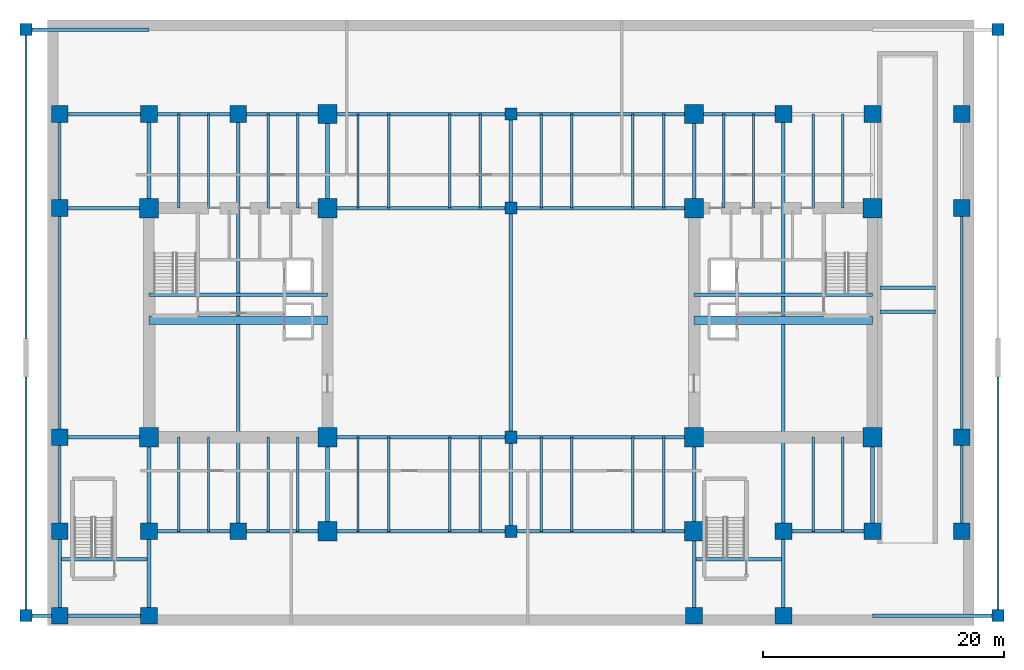
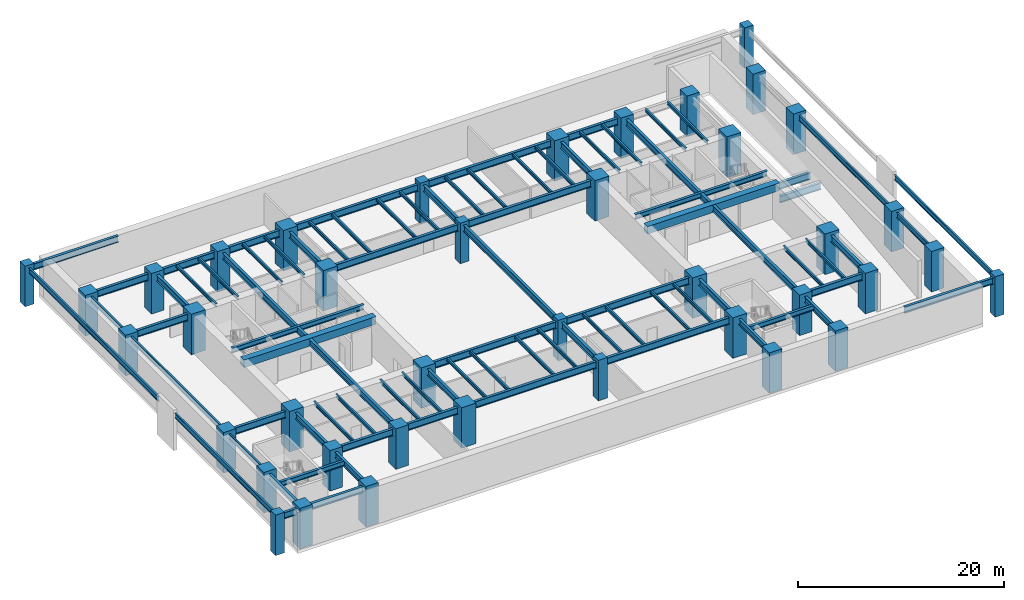
# One storey, part 1 of 7: 82 beams, 40 columns.
"""IFC4 building model written with IfcOpenShell, lengths in metres."""

from ifc_helpers import new_model, si_unit, direction, frame, origin, origin_2d, place, context, subcontext, project, spatial, rectangle, i_section, extrude, source, transform, mapped, material, material_profile, profile_set, type_object, type_shapes, element, save


model = new_model("IFC4")

# Units and contexts
model_context = context("Model", 3, precision=1e-05, world=origin(), true_north=direction((0.0, 1.0)))
body_context = subcontext(model_context, "Body", "Model", "MODEL_VIEW")
ifc_project = project(units=[si_unit("LENGTHUNIT", "METRE"), si_unit("AREAUNIT", "SQUARE_METRE"), si_unit("VOLUMEUNIT", "CUBIC_METRE"), si_unit("PLANEANGLEUNIT", "RADIAN"), si_unit("MASSUNIT", "GRAM", prefix="KILO")], contexts=[model_context])

# Site, building, storey
site_placement = place(None, origin())
site = spatial("IfcSite", under=ifc_project, at=site_placement, CompositionType="ELEMENT")
building_placement = place(site_placement, origin())
building = spatial("IfcBuilding", under=site, at=building_placement, Name="Haelvirn Gate Laboratories", CompositionType="ELEMENT")
storey_placement = place(building_placement, frame((0.0, 0.0, -4.800048828125)))
storey = spatial("IfcBuildingStorey", under=building, at=storey_placement, Name="B1", CompositionType="ELEMENT", Elevation=-4.800048828125)

# Columns
ifc_material_1 = material(Name="Concrete C70/85", Category="concrete")
ifc_material_profile_1 = material_profile(ifc_material_1, rectangle(XDim=1.39990234375, YDim=1.39990234375, at=origin_2d()), Name="SRC-1400x1400")
ifc_profile_set_1 = profile_set([ifc_material_profile_1], Name="Concrete C70/85")
column_type_1 = type_object("IfcColumnType", Name="COL-SRC-1400", PredefinedType="COLUMN", material=ifc_profile_set_1)
shared_shape_1 = source(origin(), body_context, "Body", "SweptSolid", [
    extrude(rectangle(XDim=1.39990234375, YDim=1.39990234375, at=origin_2d()), origin(), (0.0, 0.0, 1.0), 4.800048828125),
])
type_shapes(column_type_1, [shared_shape_1])
for number, where, z_axis, x_axis, name in (
    (1, (14.800048828125, 7.0, 0.0), (0.0, 0.0, 1.0), (1.0, 0.0, 0.0), "B1 Column 3B"),
    (2, (14.800048828125, 41.60009765625, 0.0), (0.0, 0.0, 1.0), (1.0, 0.0, 0.0), "B1 Column 3G"),
    (3, (60.0, 7.0, 0.0), (0.0, 0.0, 1.0), (1.0, 0.0, 0.0), "B1 Column 9B"),
    (4, (60.0, 41.60009765625, 0.0), (0.0, 0.0, 1.0), (1.0, 0.0, 0.0), "B1 Column 9G"),
    (5, (7.39990234375, 7.0, 0.0), (0.0, 0.0, 1.0), (1.0, 0.0, 0.0), "B1 Column 2B"),
    (6, (7.39990234375, 41.60009765625, 0.0), (0.0, 0.0, 1.0), (1.0, 0.0, 0.0), "B1 Column 2G"),
    (7, (67.39990234375, 7.0, 0.0), (0.0, 0.0, 1.0), (1.0, 0.0, 0.0), "B1 Column 10B"),
    (8, (67.39990234375, 41.60009765625, 0.0), (0.0, 0.0, 1.0), (1.0, 0.0, 0.0), "B1 Column 10G"),
    (9, (0.0, 7.0, 0.0), (0.0, 0.0, 1.0), (1.0, 0.0, 0.0), "B1 Column 1B"),
    (10, (0.0, 14.800048828125, 0.0), (0.0, 0.0, 1.0), (1.0, 0.0, 0.0), "B1 Column 1C"),
    (11, (0.0, 33.800048828125, 0.0), (0.0, 0.0, 1.0), (1.0, 0.0, 0.0), "B1 Column 1F"),
    (12, (0.0, 41.60009765625, 0.0), (0.0, 0.0, 1.0), (1.0, 0.0, 0.0), "B1 Column 1G"),
    (13, (74.800048828125, 7.0, 0.0), (0.0, 0.0, 1.0), (1.0, 0.0, 0.0), "B1 Column 11B"),
    (14, (74.800048828125, 14.800048828125, 0.0), (0.0, 0.0, 1.0), (1.0, 0.0, 0.0), "B1 Column 11C"),
    (15, (74.800048828125, 33.800048828125, 0.0), (0.0, 0.0, 1.0), (1.0, 0.0, 0.0), "B1 Column 11F"),
    (16, (74.800048828125, 41.60009765625, 0.0), (0.0, 0.0, 1.0), (1.0, 0.0, 0.0), "B1 Column 11G"),
    (17, (0.0, 0.0, 0.0), (0.0, 0.0, 1.0), (1.0, 0.0, 0.0), "B1 Column 1A"),
    (18, (7.39990234375, 0.0, 0.0), (0.0, 0.0, 1.0), (1.0, 0.0, 0.0), "B1 Column 2A"),
    (19, (52.60009765625, 0.0, 0.0), (0.0, 0.0, 1.0), (1.0, 0.0, 0.0), "B1 Column 8A"),
    (20, (60.0, 0.0, 0.0), (0.0, 0.0, 1.0), (1.0, 0.0, 0.0), "B1 Column 9A"),
):
    element("IfcColumn", number, at=place(storey_placement, frame(where, z_axis=z_axis, x_axis=x_axis)), inside=storey, type_object=column_type_1, Name=name, PredefinedType="COLUMN", context=body_context, shape_type="MappedRepresentation", body=[
        mapped(shared_shape_1, transform((0.0, 0.0, 0.0), scale=1.0)),
    ])
ifc_material_profile_2 = material_profile(ifc_material_1, rectangle(XDim=1.60009765625, YDim=1.60009765625, at=origin_2d()), Name="SRC-1600x1600")
ifc_profile_set_2 = profile_set([ifc_material_profile_2], Name="Concrete C70/85")
column_type_2 = type_object("IfcColumnType", Name="COL-SRC-1600", PredefinedType="COLUMN", material=ifc_profile_set_2)
shared_shape_2 = source(origin(), body_context, "Body", "SweptSolid", [
    extrude(rectangle(XDim=1.60009765625, YDim=1.60009765625, at=origin_2d()), origin(), (0.0, 0.0, 1.0), 4.800048828125),
])
type_shapes(column_type_2, [shared_shape_2])
for number, where, z_axis, x_axis, name in (
    (21, (22.199951171875, 7.0, 0.0), (0.0, 0.0, 1.0), (1.0, 0.0, 0.0), "B1 Column 4B"),
    (22, (7.39990234375, 14.800048828125, 0.0), (0.0, 0.0, 1.0), (1.0, 0.0, 0.0), "B1 Column 2C"),
    (23, (22.199951171875, 14.800048828125, 0.0), (0.0, 0.0, 1.0), (1.0, 0.0, 0.0), "B1 Column 4C"),
    (24, (7.39990234375, 33.800048828125, 0.0), (0.0, 0.0, 1.0), (1.0, 0.0, 0.0), "B1 Column 2F"),
    (25, (22.199951171875, 33.800048828125, 0.0), (0.0, 0.0, 1.0), (1.0, 0.0, 0.0), "B1 Column 4F"),
    (26, (22.199951171875, 41.60009765625, 0.0), (0.0, 0.0, 1.0), (1.0, 0.0, 0.0), "B1 Column 4G"),
    (27, (52.60009765625, 7.0, 0.0), (0.0, 0.0, 1.0), (1.0, 0.0, 0.0), "B1 Column 8B"),
    (28, (52.60009765625, 14.800048828125, 0.0), (0.0, 0.0, 1.0), (1.0, 0.0, 0.0), "B1 Column 8C"),
    (29, (67.39990234375, 14.800048828125, 0.0), (0.0, 0.0, 1.0), (1.0, 0.0, 0.0), "B1 Column 10C"),
    (30, (52.60009765625, 33.800048828125, 0.0), (0.0, 0.0, 1.0), (1.0, 0.0, 0.0), "B1 Column 8F"),
    (31, (67.39990234375, 33.800048828125, 0.0), (0.0, 0.0, 1.0), (1.0, 0.0, 0.0), "B1 Column 10F"),
    (32, (52.60009765625, 41.60009765625, 0.0), (0.0, 0.0, 1.0), (1.0, 0.0, 0.0), "B1 Column 8G"),
):
    element("IfcColumn", number, at=place(storey_placement, frame(where, z_axis=z_axis, x_axis=x_axis)), inside=storey, type_object=column_type_2, Name=name, PredefinedType="COLUMN", context=body_context, shape_type="MappedRepresentation", body=[
        mapped(shared_shape_2, transform((0.0, 0.0, 0.0), scale=1.0)),
    ])
ifc_material_2 = material(Name="Concrete C60/75", Category="concrete")
ifc_material_profile_3 = material_profile(ifc_material_2, rectangle(XDim=1.0, YDim=1.0, at=origin_2d()), Name="RC-1000x1000")
ifc_profile_set_3 = profile_set([ifc_material_profile_3], Name="Concrete C60/75")
column_type_3 = type_object("IfcColumnType", Name="COL-RC-1000", PredefinedType="COLUMN", material=ifc_profile_set_3)
shared_shape_3 = source(origin(), body_context, "Body", "SweptSolid", [
    extrude(rectangle(XDim=1.0, YDim=1.0, at=origin_2d()), origin(), (0.0, 0.0, 1.0), 4.800048828125),
])
type_shapes(column_type_3, [shared_shape_3])
for number, where, z_axis, x_axis, name in (
    (33, (-2.800048828125, 0.0, 0.0), (0.0, 0.0, 1.0), (1.0, 0.0, 0.0), "B1 Column PWS"),
    (34, (-2.800048828125, 48.60009765625, 0.0), (0.0, 0.0, 1.0), (1.0, 0.0, 0.0), "B1 Column PWN"),
    (35, (77.800048828125, 0.0, 0.0), (0.0, 0.0, 1.0), (1.0, 0.0, 0.0), "B1 Column PES"),
    (36, (77.800048828125, 48.60009765625, 0.0), (0.0, 0.0, 1.0), (1.0, 0.0, 0.0), "B1 Column PEN"),
    (37, (37.39990234375, 7.0, 0.0), (0.0, 0.0, 1.0), (1.0, 0.0, 0.0), "B1 Column 6B"),
    (38, (37.39990234375, 14.800048828125, 0.0), (0.0, 0.0, 1.0), (1.0, 0.0, 0.0), "B1 Column 6C"),
    (39, (37.39990234375, 33.800048828125, 0.0), (0.0, 0.0, 1.0), (1.0, 0.0, 0.0), "B1 Column 6F"),
    (40, (37.39990234375, 41.60009765625, 0.0), (0.0, 0.0, 1.0), (1.0, 0.0, 0.0), "B1 Column 6G"),
):
    element("IfcColumn", number, at=place(storey_placement, frame(where, z_axis=z_axis, x_axis=x_axis)), inside=storey, type_object=column_type_3, Name=name, PredefinedType="COLUMN", context=body_context, shape_type="MappedRepresentation", body=[
        mapped(shared_shape_3, transform((0.0, 0.0, 0.0), scale=1.0)),
    ])

# Beams
ifc_material_3 = material(Name="Steel SM420", Category="steel")
ifc_material_profile_4 = material_profile(ifc_material_3, i_section(OverallWidth=0.300048828125, OverallDepth=0.800048828125, WebThickness=0.013916015625, FlangeThickness=0.02587890625, at=origin_2d()), Name="H-800x300x14x26")
ifc_profile_set_4 = profile_set([ifc_material_profile_4], Name="Steel SM420")
beam_type_1 = type_object("IfcBeamType", Name="BM-G-800", PredefinedType="BEAM", material=ifc_profile_set_4)
shared_shape_4 = source(origin(), body_context, "Body", "SweptSolid", [
    extrude(i_section(OverallWidth=0.300048828125, OverallDepth=0.800048828125, WebThickness=0.013916015625, FlangeThickness=0.02587890625, at=origin_2d()), origin(), (0.0, 0.0, 1.0), 7.400146484375),
])
for number, where, z_axis, x_axis, name in (
    (41, (7.39990234375, 7.0, 4.050048828125), (1.0, 0.0, 0.0), (0.0, 1.0, 0.0), "B1 Primary Girder Y7.0 (7.4-14.8)"),
    (42, (7.39990234375, 41.60009765625, 4.050048828125), (1.0, 0.0, 0.0), (0.0, 1.0, 0.0), "B1 Primary Girder Y41.6 (7.4-14.8)"),
):
    element("IfcBeam", number, at=place(storey_placement, frame(where, z_axis=z_axis, x_axis=x_axis)), inside=storey, type_object=beam_type_1, Name=name, PredefinedType="BEAM", context=body_context, shape_type="MappedRepresentation", body=[
        mapped(shared_shape_4, transform((0.0, 0.0, 0.0), scale=1.0)),
    ])
shared_shape_5 = source(origin(), body_context, "Body", "SweptSolid", [
    extrude(i_section(OverallWidth=0.300048828125, OverallDepth=0.800048828125, WebThickness=0.013916015625, FlangeThickness=0.02587890625, at=origin_2d()), origin(), (0.0, 0.0, 1.0), 7.39990234375),
])
for number, where, z_axis, x_axis, name in (
    (43, (14.800048828125, 7.0, 4.050048828125), (1.0, 0.0, 0.0), (0.0, 1.0, 0.0), "B1 Primary Girder Y7.0 (14.8-22.2)"),
    (44, (60.0, 7.0, 4.050048828125), (1.0, 0.0, 0.0), (0.0, 1.0, 0.0), "B1 Primary Girder Y7.0 (60.0-67.4)"),
    (45, (0.0, 14.800048828125, 4.050048828125), (1.0, 0.0, 0.0), (0.0, 1.0, 0.0), "B1 Primary Girder Y14.8 (0.0-7.4)"),
    (46, (0.0, 33.800048828125, 4.050048828125), (1.0, 0.0, 0.0), (0.0, 1.0, 0.0), "B1 Primary Girder Y33.8 (0.0-7.4)"),
    (47, (0.0, 41.60009765625, 4.050048828125), (1.0, 0.0, 0.0), (0.0, 1.0, 0.0), "B1 Primary Girder Y41.6 (0.0-7.4)"),
    (48, (14.800048828125, 41.60009765625, 4.050048828125), (1.0, 0.0, 0.0), (0.0, 1.0, 0.0), "B1 Primary Girder Y41.6 (14.8-22.2)"),
    (49, (52.60009765625, 41.60009765625, 4.050048828125), (1.0, 0.0, 0.0), (0.0, 1.0, 0.0), "B1 Primary Girder Y41.6 (52.6-60.0)"),
):
    element("IfcBeam", number, at=place(storey_placement, frame(where, z_axis=z_axis, x_axis=x_axis)), inside=storey, type_object=beam_type_1, Name=name, PredefinedType="BEAM", context=body_context, shape_type="MappedRepresentation", body=[
        mapped(shared_shape_5, transform((0.0, 0.0, 0.0), scale=1.0)),
    ])
shared_shape_6 = source(origin(), body_context, "Body", "SweptSolid", [
    extrude(i_section(OverallWidth=0.300048828125, OverallDepth=0.800048828125, WebThickness=0.013916015625, FlangeThickness=0.02587890625, at=origin_2d()), origin(), (0.0, 0.0, 1.0), 15.199951171875),
])
for number, where, z_axis, x_axis, name in (
    (50, (22.199951171875, 7.0, 4.050048828125), (1.0, 0.0, 0.0), (0.0, 1.0, 0.0), "B1 Primary Girder Y7.0 (22.2-37.4)"),
    (51, (22.199951171875, 14.800048828125, 4.050048828125), (1.0, 0.0, 0.0), (0.0, 1.0, 0.0), "B1 Primary Girder Y14.8 (22.2-37.4)"),
    (52, (22.199951171875, 33.800048828125, 4.050048828125), (1.0, 0.0, 0.0), (0.0, 1.0, 0.0), "B1 Primary Girder Y33.8 (22.2-37.4)"),
    (53, (22.199951171875, 41.60009765625, 4.050048828125), (1.0, 0.0, 0.0), (0.0, 1.0, 0.0), "B1 Primary Girder Y41.6 (22.2-37.4)"),
):
    element("IfcBeam", number, at=place(storey_placement, frame(where, z_axis=z_axis, x_axis=x_axis)), inside=storey, type_object=beam_type_1, Name=name, PredefinedType="BEAM", context=body_context, shape_type="MappedRepresentation", body=[
        mapped(shared_shape_6, transform((0.0, 0.0, 0.0), scale=1.0)),
    ])
shared_shape_7 = source(origin(), body_context, "Body", "SweptSolid", [
    extrude(i_section(OverallWidth=0.300048828125, OverallDepth=0.800048828125, WebThickness=0.013916015625, FlangeThickness=0.02587890625, at=origin_2d()), origin(), (0.0, 0.0, 1.0), 15.2001953125),
])
for number, where, z_axis, x_axis, name in (
    (54, (37.39990234375, 7.0, 4.050048828125), (1.0, 0.0, 0.0), (0.0, 1.0, 0.0), "B1 Primary Girder Y7.0 (37.4-52.6)"),
    (55, (37.39990234375, 14.800048828125, 4.050048828125), (1.0, 0.0, 0.0), (0.0, 1.0, 0.0), "B1 Primary Girder Y14.8 (37.4-52.6)"),
    (56, (37.39990234375, 33.800048828125, 4.050048828125), (1.0, 0.0, 0.0), (0.0, 1.0, 0.0), "B1 Primary Girder Y33.8 (37.4-52.6)"),
    (57, (37.39990234375, 41.60009765625, 4.050048828125), (1.0, 0.0, 0.0), (0.0, 1.0, 0.0), "B1 Primary Girder Y41.6 (37.4-52.6)"),
):
    element("IfcBeam", number, at=place(storey_placement, frame(where, z_axis=z_axis, x_axis=x_axis)), inside=storey, type_object=beam_type_1, Name=name, PredefinedType="BEAM", context=body_context, shape_type="MappedRepresentation", body=[
        mapped(shared_shape_7, transform((0.0, 0.0, 0.0), scale=1.0)),
    ])
ifc_material_4 = material(Name="Steel SM355", Category="steel")
ifc_material_profile_5 = material_profile(ifc_material_4, i_section(OverallWidth=0.199951171875, OverallDepth=0.60009765625, WebThickness=0.010986328125, FlangeThickness=0.01708984375, at=origin_2d()), Name="H-600x200x11x17")
ifc_profile_set_5 = profile_set([ifc_material_profile_5], Name="Steel SM355")
beam_type_2 = type_object("IfcBeamType", Name="BM-SP-600", PredefinedType="SPANDREL", material=ifc_profile_set_5)
shared_shape_8 = source(origin(), body_context, "Body", "SweptSolid", [
    extrude(i_section(OverallWidth=0.199951171875, OverallDepth=0.60009765625, WebThickness=0.010986328125, FlangeThickness=0.01708984375, at=origin_2d()), origin(), (0.0, 0.0, 1.0), 7.800048828125),
])
for number, where, z_axis, x_axis, name in (
    (58, (0.0, 7.0, 4.150146484375), (0.0, 1.0, 0.0), (-1.0, 0.0, 0.0), "B1 Perimeter Spandrel X0.0 (7.0-14.8)"),
    (59, (0.0, 33.800048828125, 4.150146484375), (0.0, 1.0, 0.0), (-1.0, 0.0, 0.0), "B1 Perimeter Spandrel X0.0 (33.8-41.6)"),
    (60, (74.800048828125, 7.0, 4.150146484375), (0.0, 1.0, 0.0), (-1.0, 0.0, 0.0), "B1 Perimeter Spandrel X74.8 (7.0-14.8)"),
):
    element("IfcBeam", number, at=place(storey_placement, frame(where, z_axis=z_axis, x_axis=x_axis)), inside=storey, type_object=beam_type_2, Name=name, PredefinedType="SPANDREL", context=body_context, shape_type="MappedRepresentation", body=[
        mapped(shared_shape_8, transform((0.0, 0.0, 0.0), scale=1.0)),
    ])
shared_shape_9 = source(origin(), body_context, "Body", "SweptSolid", [
    extrude(i_section(OverallWidth=0.199951171875, OverallDepth=0.60009765625, WebThickness=0.010986328125, FlangeThickness=0.01708984375, at=origin_2d()), origin(), (0.0, 0.0, 1.0), 19.0),
])
for number, where, z_axis, x_axis, name in (
    (61, (0.0, 14.800048828125, 4.150146484375), (0.0, 1.0, 0.0), (-1.0, 0.0, 0.0), "B1 Perimeter Spandrel X0.0 (14.8-33.8)"),
    (62, (74.800048828125, 14.800048828125, 4.150146484375), (0.0, 1.0, 0.0), (-1.0, 0.0, 0.0), "B1 Perimeter Spandrel X74.8 (14.8-33.8)"),
):
    element("IfcBeam", number, at=place(storey_placement, frame(where, z_axis=z_axis, x_axis=x_axis)), inside=storey, type_object=beam_type_2, Name=name, PredefinedType="SPANDREL", context=body_context, shape_type="MappedRepresentation", body=[
        mapped(shared_shape_9, transform((0.0, 0.0, 0.0), scale=1.0)),
    ])
ifc_material_profile_6 = material_profile(ifc_material_4, i_section(OverallWidth=0.300048828125, OverallDepth=0.75, WebThickness=0.013916015625, FlangeThickness=0.02392578125, at=origin_2d()), Name="H-750x300x14x24")
ifc_profile_set_6 = profile_set([ifc_material_profile_6], Name="Steel SM355")
beam_type_3 = type_object("IfcBeamType", Name="BM-G-750", PredefinedType="BEAM", material=ifc_profile_set_6)
shared_shape_10 = source(origin(), body_context, "Body", "SweptSolid", [
    extrude(i_section(OverallWidth=0.300048828125, OverallDepth=0.75, WebThickness=0.013916015625, FlangeThickness=0.02392578125, at=origin_2d()), origin(), (0.0, 0.0, 1.0), 7.800048828125),
])
for number, where, z_axis, x_axis, name in (
    (63, (7.39990234375, 7.0, 4.074951171875), (0.0, 1.0, 0.0), (-1.0, 0.0, 0.0), "B1 Frame Girder X7.4 (7.0-14.8)"),
    (64, (7.39990234375, 33.800048828125, 4.074951171875), (0.0, 1.0, 0.0), (-1.0, 0.0, 0.0), "B1 Frame Girder X7.4 (33.8-41.6)"),
    (65, (22.199951171875, 7.0, 4.074951171875), (0.0, 1.0, 0.0), (-1.0, 0.0, 0.0), "B1 Frame Girder X22.2 (7.0-14.8)"),
    (66, (22.199951171875, 33.800048828125, 4.074951171875), (0.0, 1.0, 0.0), (-1.0, 0.0, 0.0), "B1 Frame Girder X22.2 (33.8-41.6)"),
    (67, (37.39990234375, 7.0, 4.074951171875), (0.0, 1.0, 0.0), (-1.0, 0.0, 0.0), "B1 Frame Girder X37.4 (7.0-14.8)"),
    (68, (37.39990234375, 33.800048828125, 4.074951171875), (0.0, 1.0, 0.0), (-1.0, 0.0, 0.0), "B1 Frame Girder X37.4 (33.8-41.6)"),
    (69, (52.60009765625, 7.0, 4.074951171875), (0.0, 1.0, 0.0), (-1.0, 0.0, 0.0), "B1 Frame Girder X52.6 (7.0-14.8)"),
    (70, (52.60009765625, 33.800048828125, 4.074951171875), (0.0, 1.0, 0.0), (-1.0, 0.0, 0.0), "B1 Frame Girder X52.6 (33.8-41.6)"),
    (71, (67.39990234375, 7.0, 4.074951171875), (0.0, 1.0, 0.0), (-1.0, 0.0, 0.0), "B1 Frame Girder X67.4 (7.0-14.8)"),
):
    element("IfcBeam", number, at=place(storey_placement, frame(where, z_axis=z_axis, x_axis=x_axis)), inside=storey, type_object=beam_type_3, Name=name, PredefinedType="BEAM", context=body_context, shape_type="MappedRepresentation", body=[
        mapped(shared_shape_10, transform((0.0, 0.0, 0.0), scale=1.0)),
    ])
shared_shape_11 = source(origin(), body_context, "Body", "SweptSolid", [
    extrude(i_section(OverallWidth=0.300048828125, OverallDepth=0.75, WebThickness=0.013916015625, FlangeThickness=0.02392578125, at=origin_2d()), origin(), (0.0, 0.0, 1.0), 34.60009765625),
])
for number, where, z_axis, x_axis, name in (
    (72, (14.800048828125, 7.0, 4.074951171875), (0.0, 1.0, 0.0), (-1.0, 0.0, 0.0), "B1 Frame Girder X14.8 (7.0-41.6)"),
    (73, (60.0, 7.0, 4.074951171875), (0.0, 1.0, 0.0), (-1.0, 0.0, 0.0), "B1 Frame Girder X60.0 (7.0-41.6)"),
):
    element("IfcBeam", number, at=place(storey_placement, frame(where, z_axis=z_axis, x_axis=x_axis)), inside=storey, type_object=beam_type_3, Name=name, PredefinedType="BEAM", context=body_context, shape_type="MappedRepresentation", body=[
        mapped(shared_shape_11, transform((0.0, 0.0, 0.0), scale=1.0)),
    ])
shared_shape_12 = source(origin(), body_context, "Body", "SweptSolid", [
    extrude(i_section(OverallWidth=0.300048828125, OverallDepth=0.75, WebThickness=0.013916015625, FlangeThickness=0.02392578125, at=origin_2d()), origin(), (0.0, 0.0, 1.0), 19.0),
])
beam_1_placement = place(storey_placement, frame((37.39990234375, 14.800048828125, 4.074951171875), z_axis=(0.0, 1.0, 0.0), x_axis=(-1.0, 0.0, 0.0)))
element("IfcBeam", 74, at=beam_1_placement, inside=storey, type_object=beam_type_3, Name="B1 Frame Girder X37.4 (14.8-33.8)", PredefinedType="BEAM", context=body_context, shape_type="MappedRepresentation", body=[
    mapped(shared_shape_12, transform((0.0, 0.0, 0.0), scale=1.0)),
])
ifc_material_profile_7 = material_profile(ifc_material_2, rectangle(XDim=0.699951171875, YDim=0.89990234375, at=origin_2d()), Name="RCB-700x900")
ifc_profile_set_7 = profile_set([ifc_material_profile_7], Name="Concrete C60/75")
beam_type_4 = type_object("IfcBeamType", Name="BM-RCB-900", PredefinedType="LINTEL", material=ifc_profile_set_7)
shared_shape_13 = source(origin(), body_context, "Body", "SweptSolid", [
    extrude(rectangle(XDim=0.699951171875, YDim=0.89990234375, at=origin_2d()), origin(), (0.0, 0.0, 1.0), 14.800048828125),
])
beam_2_placement = place(storey_placement, frame((7.39990234375, 24.5, 4.0), z_axis=(1.0, 0.0, 0.0), x_axis=(0.0, 1.0, 0.0)))
element("IfcBeam", 75, at=beam_2_placement, inside=storey, type_object=beam_type_4, Name="B1 West Core Coupling Beam", PredefinedType="LINTEL", context=body_context, shape_type="MappedRepresentation", body=[
    mapped(shared_shape_13, transform((0.0, 0.0, 0.0), scale=1.0)),
])
shared_shape_14 = source(origin(), body_context, "Body", "SweptSolid", [
    extrude(rectangle(XDim=0.699951171875, YDim=0.89990234375, at=origin_2d()), origin(), (0.0, 0.0, 1.0), 14.7998046875),
])
type_shapes(beam_type_4, [shared_shape_13, shared_shape_14])
beam_3_placement = place(storey_placement, frame((52.60009765625, 24.5, 4.0), z_axis=(1.0, 0.0, 0.0), x_axis=(0.0, 1.0, 0.0)))
element("IfcBeam", 76, at=beam_3_placement, inside=storey, type_object=beam_type_4, Name="B1 East Core Coupling Beam", PredefinedType="LINTEL", context=body_context, shape_type="MappedRepresentation", body=[
    mapped(shared_shape_14, transform((0.0, 0.0, 0.0), scale=1.0)),
])
ifc_material_profile_8 = material_profile(ifc_material_4, i_section(OverallWidth=0.300048828125, OverallDepth=0.587890625, WebThickness=0.011962890625, FlangeThickness=0.02001953125, at=origin_2d()), Name="H-588x300x12x20")
ifc_profile_set_8 = profile_set([ifc_material_profile_8], Name="Steel SM355")
beam_type_5 = type_object("IfcBeamType", Name="BM-G-588", PredefinedType="BEAM", material=ifc_profile_set_8)
shared_shape_15 = source(origin(), body_context, "Body", "SweptSolid", [
    extrude(i_section(OverallWidth=0.300048828125, OverallDepth=0.587890625, WebThickness=0.011962890625, FlangeThickness=0.02001953125, at=origin_2d()), origin(), (0.0, 0.0, 1.0), 14.800048828125),
])
beam_4_placement = place(storey_placement, frame((7.39990234375, 26.6201171875, 4.156005859375), z_axis=(1.0, 0.0, 0.0), x_axis=(0.0, 1.0, 0.0)))
element("IfcBeam", 77, at=beam_4_placement, inside=storey, type_object=beam_type_5, Name="B1 Stair ST1 Landing Header", PredefinedType="BEAM", context=body_context, shape_type="MappedRepresentation", body=[
    mapped(shared_shape_15, transform((0.0, 0.0, 0.0), scale=1.0)),
])
shared_shape_16 = source(origin(), body_context, "Body", "SweptSolid", [
    extrude(i_section(OverallWidth=0.300048828125, OverallDepth=0.587890625, WebThickness=0.011962890625, FlangeThickness=0.02001953125, at=origin_2d()), origin(), (0.0, 0.0, 1.0), 14.7998046875),
])
beam_5_placement = place(storey_placement, frame((52.60009765625, 26.6201171875, 4.156005859375), z_axis=(1.0, 0.0, 0.0), x_axis=(0.0, 1.0, 0.0)))
element("IfcBeam", 78, at=beam_5_placement, inside=storey, type_object=beam_type_5, Name="B1 Stair ST2 Landing Header", PredefinedType="BEAM", context=body_context, shape_type="MappedRepresentation", body=[
    mapped(shared_shape_16, transform((0.0, 0.0, 0.0), scale=1.0)),
])
ifc_material_profile_9 = material_profile(ifc_material_4, i_section(OverallWidth=0.300048828125, OverallDepth=0.699951171875, WebThickness=0.012939453125, FlangeThickness=0.02392578125, at=origin_2d()), Name="H-700x300x13x24")
ifc_profile_set_9 = profile_set([ifc_material_profile_9], Name="Steel SM355")
beam_type_6 = type_object("IfcBeamType", Name="BM-G-700", PredefinedType="BEAM", material=ifc_profile_set_9)
shared_shape_17 = source(origin(), body_context, "Body", "SweptSolid", [
    extrude(i_section(OverallWidth=0.300048828125, OverallDepth=0.699951171875, WebThickness=0.012939453125, FlangeThickness=0.02392578125, at=origin_2d()), origin(), (0.0, 0.0, 1.0), 7.0),
])
type_shapes(beam_type_6, [shared_shape_17])
for number, where, z_axis, x_axis, name in (
    (79, (0.0, 0.0, 4.10009765625), (0.0, 1.0, 0.0), (-1.0, 0.0, 0.0), "B1 Stair ST3 West Trimmer Girder"),
    (80, (7.39990234375, 0.0, 4.10009765625), (0.0, 1.0, 0.0), (-1.0, 0.0, 0.0), "B1 Stair ST3 East Trimmer Girder"),
    (81, (52.60009765625, 0.0, 4.10009765625), (0.0, 1.0, 0.0), (-1.0, 0.0, 0.0), "B1 Stair ST4 West Trimmer Girder"),
    (82, (60.0, 0.0, 4.10009765625), (0.0, 1.0, 0.0), (-1.0, 0.0, 0.0), "B1 Stair ST4 East Trimmer Girder"),
):
    element("IfcBeam", number, at=place(storey_placement, frame(where, z_axis=z_axis, x_axis=x_axis)), inside=storey, type_object=beam_type_6, Name=name, PredefinedType="BEAM", context=body_context, shape_type="MappedRepresentation", body=[
        mapped(shared_shape_17, transform((0.0, 0.0, 0.0), scale=1.0)),
    ])
shared_shape_18 = source(origin(), body_context, "Body", "SweptSolid", [
    extrude(i_section(OverallWidth=0.300048828125, OverallDepth=0.587890625, WebThickness=0.011962890625, FlangeThickness=0.02001953125, at=origin_2d()), origin(), (0.0, 0.0, 1.0), 7.39990234375),
])
type_shapes(beam_type_5, [shared_shape_15, shared_shape_16, shared_shape_18])
for number, where, z_axis, x_axis, name in (
    (83, (0.0, 4.679931640625, 4.156005859375), (1.0, 0.0, 0.0), (0.0, 1.0, 0.0), "B1 Stair ST3 Landing Header"),
    (84, (52.60009765625, 4.679931640625, 4.156005859375), (1.0, 0.0, 0.0), (0.0, 1.0, 0.0), "B1 Stair ST4 Landing Header"),
):
    element("IfcBeam", number, at=place(storey_placement, frame(where, z_axis=z_axis, x_axis=x_axis)), inside=storey, type_object=beam_type_5, Name=name, PredefinedType="BEAM", context=body_context, shape_type="MappedRepresentation", body=[
        mapped(shared_shape_18, transform((0.0, 0.0, 0.0), scale=1.0)),
    ])
ifc_material_profile_10 = material_profile(ifc_material_4, i_section(OverallWidth=0.199951171875, OverallDepth=0.39990234375, WebThickness=0.008056640625, FlangeThickness=0.012939453125, at=origin_2d()), Name="H-400x200x8x13")
ifc_profile_set_10 = profile_set([ifc_material_profile_10], Name="Steel SM355")
beam_type_7 = type_object("IfcBeamType", Name="BM-J-400", PredefinedType="JOIST", material=ifc_profile_set_10)
shared_shape_19 = source(origin(), body_context, "Body", "SweptSolid", [
    extrude(i_section(OverallWidth=0.199951171875, OverallDepth=0.39990234375, WebThickness=0.008056640625, FlangeThickness=0.012939453125, at=origin_2d()), origin(), (0.0, 0.0, 1.0), 7.800048828125),
])
type_shapes(beam_type_7, [shared_shape_19])
for number, where, z_axis, x_axis, name in (
    (85, (9.8701171875, 7.0, 4.25), (0.0, 1.0, 0.0), (-1.0, 0.0, 0.0), "B1 Composite Lab Joist South X9.87"),
    (86, (9.8701171875, 33.800048828125, 4.25), (0.0, 1.0, 0.0), (-1.0, 0.0, 0.0), "B1 Composite Lab Joist North X9.87"),
    (87, (12.330078125, 7.0, 4.25), (0.0, 1.0, 0.0), (-1.0, 0.0, 0.0), "B1 Composite Lab Joist South X12.33"),
    (88, (12.330078125, 33.800048828125, 4.25), (0.0, 1.0, 0.0), (-1.0, 0.0, 0.0), "B1 Composite Lab Joist North X12.33"),
    (89, (17.27001953125, 7.0, 4.25), (0.0, 1.0, 0.0), (-1.0, 0.0, 0.0), "B1 Composite Lab Joist South X17.27"),
    (90, (17.27001953125, 33.800048828125, 4.25), (0.0, 1.0, 0.0), (-1.0, 0.0, 0.0), "B1 Composite Lab Joist North X17.27"),
    (91, (19.72998046875, 7.0, 4.25), (0.0, 1.0, 0.0), (-1.0, 0.0, 0.0), "B1 Composite Lab Joist South X19.73"),
    (92, (19.72998046875, 33.800048828125, 4.25), (0.0, 1.0, 0.0), (-1.0, 0.0, 0.0), "B1 Composite Lab Joist North X19.73"),
    (93, (24.72998046875, 7.0, 4.25), (0.0, 1.0, 0.0), (-1.0, 0.0, 0.0), "B1 Composite Lab Joist South X24.73"),
    (94, (24.72998046875, 33.800048828125, 4.25), (0.0, 1.0, 0.0), (-1.0, 0.0, 0.0), "B1 Composite Lab Joist North X24.73"),
    (95, (27.27001953125, 7.0, 4.25), (0.0, 1.0, 0.0), (-1.0, 0.0, 0.0), "B1 Composite Lab Joist South X27.27"),
    (96, (27.27001953125, 33.800048828125, 4.25), (0.0, 1.0, 0.0), (-1.0, 0.0, 0.0), "B1 Composite Lab Joist North X27.27"),
    (97, (32.330078125, 7.0, 4.25), (0.0, 1.0, 0.0), (-1.0, 0.0, 0.0), "B1 Composite Lab Joist South X32.33"),
    (98, (32.330078125, 33.800048828125, 4.25), (0.0, 1.0, 0.0), (-1.0, 0.0, 0.0), "B1 Composite Lab Joist North X32.33"),
    (99, (34.8701171875, 7.0, 4.25), (0.0, 1.0, 0.0), (-1.0, 0.0, 0.0), "B1 Composite Lab Joist South X34.87"),
    (100, (34.8701171875, 33.800048828125, 4.25), (0.0, 1.0, 0.0), (-1.0, 0.0, 0.0), "B1 Composite Lab Joist North X34.87"),
    (101, (39.929931640625, 7.0, 4.25), (0.0, 1.0, 0.0), (-1.0, 0.0, 0.0), "B1 Composite Lab Joist South X39.93"),
    (102, (39.929931640625, 33.800048828125, 4.25), (0.0, 1.0, 0.0), (-1.0, 0.0, 0.0), "B1 Composite Lab Joist North X39.93"),
    (103, (42.469970703125, 7.0, 4.25), (0.0, 1.0, 0.0), (-1.0, 0.0, 0.0), "B1 Composite Lab Joist South X42.47"),
    (104, (42.469970703125, 33.800048828125, 4.25), (0.0, 1.0, 0.0), (-1.0, 0.0, 0.0), "B1 Composite Lab Joist North X42.47"),
    (105, (47.530029296875, 7.0, 4.25), (0.0, 1.0, 0.0), (-1.0, 0.0, 0.0), "B1 Composite Lab Joist South X47.53"),
    (106, (47.530029296875, 33.800048828125, 4.25), (0.0, 1.0, 0.0), (-1.0, 0.0, 0.0), "B1 Composite Lab Joist North X47.53"),
    (107, (50.070068359375, 7.0, 4.25), (0.0, 1.0, 0.0), (-1.0, 0.0, 0.0), "B1 Composite Lab Joist South X50.07"),
    (108, (50.070068359375, 33.800048828125, 4.25), (0.0, 1.0, 0.0), (-1.0, 0.0, 0.0), "B1 Composite Lab Joist North X50.07"),
    (109, (55.070068359375, 33.800048828125, 4.25), (0.0, 1.0, 0.0), (-1.0, 0.0, 0.0), "B1 Composite Lab Joist North X55.07"),
    (110, (57.530029296875, 33.800048828125, 4.25), (0.0, 1.0, 0.0), (-1.0, 0.0, 0.0), "B1 Composite Lab Joist North X57.53"),
    (111, (62.469970703125, 7.0, 4.25), (0.0, 1.0, 0.0), (-1.0, 0.0, 0.0), "B1 Composite Lab Joist South X62.47"),
    (112, (62.469970703125, 33.800048828125, 4.25), (0.0, 1.0, 0.0), (-1.0, 0.0, 0.0), "B1 Composite Lab Joist North X62.47"),
    (113, (64.929931640625, 7.0, 4.25), (0.0, 1.0, 0.0), (-1.0, 0.0, 0.0), "B1 Composite Lab Joist South X64.93"),
    (114, (64.929931640625, 33.800048828125, 4.25), (0.0, 1.0, 0.0), (-1.0, 0.0, 0.0), "B1 Composite Lab Joist North X64.93"),
):
    element("IfcBeam", number, at=place(storey_placement, frame(where, z_axis=z_axis, x_axis=x_axis)), inside=storey, type_object=beam_type_7, Name=name, PredefinedType="JOIST", context=body_context, shape_type="MappedRepresentation", body=[
        mapped(shared_shape_19, transform((0.0, 0.0, 0.0), scale=1.0)),
    ])
shared_shape_20 = source(origin(), body_context, "Body", "SweptSolid", [
    extrude(i_section(OverallWidth=0.300048828125, OverallDepth=0.75, WebThickness=0.013916015625, FlangeThickness=0.02392578125, at=origin_2d()), origin(), (0.0, 0.0, 1.0), 10.199951171875),
])
for number, where, z_axis, x_axis, name in (
    (115, (-2.800048828125, 0.0, 4.074951171875), (1.0, 0.0, 0.0), (0.0, 1.0, 0.0), "B1 West Plaza Support Girder S"),
    (116, (-2.800048828125, 48.60009765625, 4.074951171875), (1.0, 0.0, 0.0), (0.0, 1.0, 0.0), "B1 West Plaza Support Girder N"),
):
    element("IfcBeam", number, at=place(storey_placement, frame(where, z_axis=z_axis, x_axis=x_axis)), inside=storey, type_object=beam_type_3, Name=name, PredefinedType="BEAM", context=body_context, shape_type="MappedRepresentation", body=[
        mapped(shared_shape_20, transform((0.0, 0.0, 0.0), scale=1.0)),
    ])
shared_shape_21 = source(origin(), body_context, "Body", "SweptSolid", [
    extrude(i_section(OverallWidth=0.300048828125, OverallDepth=0.75, WebThickness=0.013916015625, FlangeThickness=0.02392578125, at=origin_2d()), origin(), (0.0, 0.0, 1.0), 10.400146484375),
])
type_shapes(beam_type_3, [shared_shape_10, shared_shape_11, shared_shape_12, shared_shape_20, shared_shape_21])
beam_6_placement = place(storey_placement, frame((67.39990234375, 0.0, 4.074951171875), z_axis=(1.0, 0.0, 0.0), x_axis=(0.0, 1.0, 0.0)))
element("IfcBeam", 117, at=beam_6_placement, inside=storey, type_object=beam_type_3, Name="B1 East Plaza Support Girder S", PredefinedType="BEAM", context=body_context, shape_type="MappedRepresentation", body=[
    mapped(shared_shape_21, transform((0.0, 0.0, 0.0), scale=1.0)),
])
shared_shape_22 = source(origin(), body_context, "Body", "SweptSolid", [
    extrude(i_section(OverallWidth=0.199951171875, OverallDepth=0.60009765625, WebThickness=0.010986328125, FlangeThickness=0.01708984375, at=origin_2d()), origin(), (0.0, 0.0, 1.0), 19.800048828125),
])
for number, where, z_axis, x_axis, name in (
    (118, (-2.800048828125, 0.0, 4.150146484375), (0.0, 1.0, 0.0), (-1.0, 0.0, 0.0), "B1 West Plaza Edge Beam S"),
    (119, (77.800048828125, 0.0, 4.150146484375), (0.0, 1.0, 0.0), (-1.0, 0.0, 0.0), "B1 East Plaza Edge Beam S"),
):
    element("IfcBeam", number, at=place(storey_placement, frame(where, z_axis=z_axis, x_axis=x_axis)), inside=storey, type_object=beam_type_2, Name=name, PredefinedType="SPANDREL", context=body_context, shape_type="MappedRepresentation", body=[
        mapped(shared_shape_22, transform((0.0, 0.0, 0.0), scale=1.0)),
    ])
shared_shape_23 = source(origin(), body_context, "Body", "SweptSolid", [
    extrude(i_section(OverallWidth=0.199951171875, OverallDepth=0.60009765625, WebThickness=0.010986328125, FlangeThickness=0.01708984375, at=origin_2d()), origin(), (0.0, 0.0, 1.0), 25.60009765625),
])
type_shapes(beam_type_2, [shared_shape_8, shared_shape_9, shared_shape_22, shared_shape_23])
beam_7_placement = place(storey_placement, frame((-2.800048828125, 23.0, 4.150146484375), z_axis=(0.0, 1.0, 0.0), x_axis=(-1.0, 0.0, 0.0)))
element("IfcBeam", 120, at=beam_7_placement, inside=storey, type_object=beam_type_2, Name="B1 West Plaza Edge Beam N", PredefinedType="SPANDREL", context=body_context, shape_type="MappedRepresentation", body=[
    mapped(shared_shape_23, transform((0.0, 0.0, 0.0), scale=1.0)),
])
shared_shape_24 = source(origin(), body_context, "Body", "SweptSolid", [
    extrude(i_section(OverallWidth=0.300048828125, OverallDepth=0.800048828125, WebThickness=0.013916015625, FlangeThickness=0.02587890625, at=origin_2d()), origin(), (0.0, 0.0, 1.0), 4.60009765625),
])
type_shapes(beam_type_1, [shared_shape_4, shared_shape_5, shared_shape_6, shared_shape_7, shared_shape_24])
for number, where, z_axis, x_axis, name in (
    (121, (68.0, 25.199951171875, 1.699951171875), (1.0, 0.0, 0.0), (0.0, 1.0, 0.0), "B1 Vehicle Ramp Landing Support Girder 1"),
    (122, (68.0, 27.199951171875, 1.699951171875), (1.0, 0.0, 0.0), (0.0, 1.0, 0.0), "B1 Vehicle Ramp Landing Support Girder 2"),
):
    element("IfcBeam", number, at=place(storey_placement, frame(where, z_axis=z_axis, x_axis=x_axis)), inside=storey, type_object=beam_type_1, Name=name, PredefinedType="BEAM", context=body_context, shape_type="MappedRepresentation", body=[
        mapped(shared_shape_24, transform((0.0, 0.0, 0.0), scale=1.0)),
    ])

save(model, "model.ifc")
